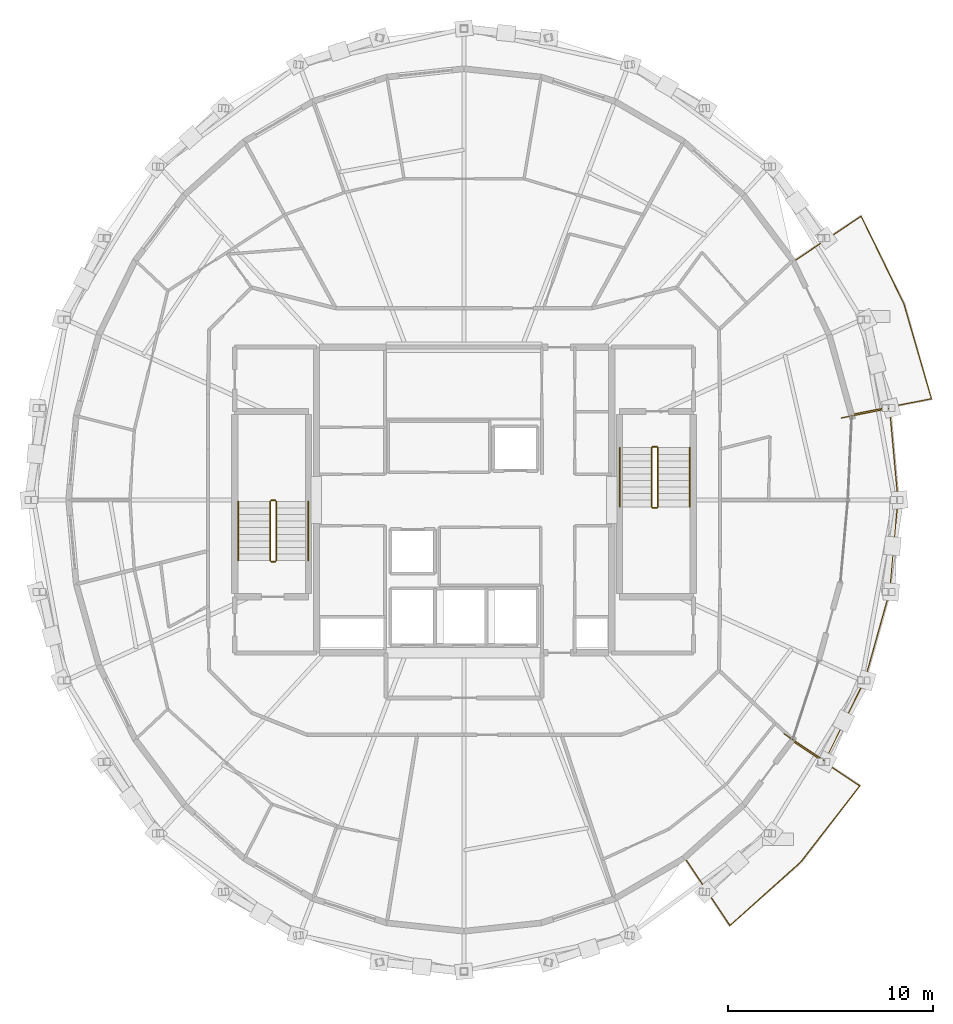
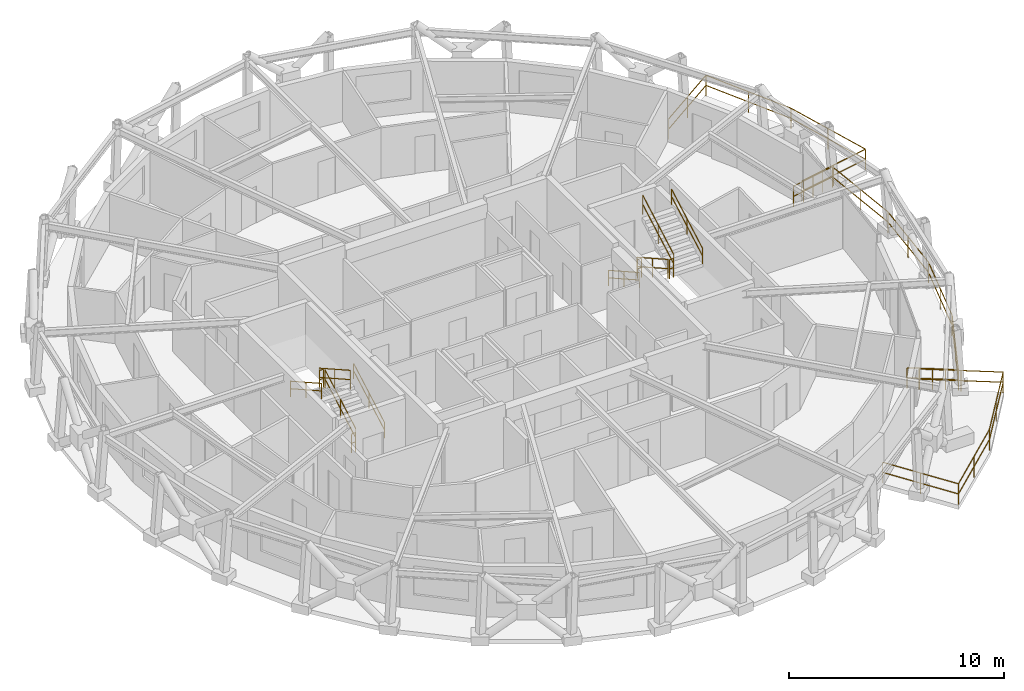
# One storey, part 12 of 12: 17 railings.
"""IFC4 building model written with IfcOpenShell, lengths in metres."""

from ifc_helpers import new_model, si_unit, direction, frame, origin, origin_2d, place, context, subcontext, project, spatial, circle, extrude, material, type_object, element, save


model = new_model("IFC4")

# Units and contexts
model_context = context("Model", 3, precision=1e-05, world=origin(), true_north=direction((0.0, 1.0)))
body_context = subcontext(model_context, "Body", "Model", "MODEL_VIEW")
ifc_project = project(units=[si_unit("LENGTHUNIT", "METRE"), si_unit("AREAUNIT", "SQUARE_METRE"), si_unit("VOLUMEUNIT", "CUBIC_METRE"), si_unit("PLANEANGLEUNIT", "RADIAN"), si_unit("MASSUNIT", "GRAM", prefix="KILO")], contexts=[model_context])

# Site, building, storey
site_placement = place(None, origin())
site = spatial("IfcSite", under=ifc_project, at=site_placement, CompositionType="ELEMENT")
building_placement = place(site_placement, origin())
building = spatial("IfcBuilding", under=site, at=building_placement, Name="Veldorina Hangang Commons", CompositionType="ELEMENT")
storey_placement = place(building_placement, frame((0.0, 0.0, 272.39990234375)))
storey = spatial("IfcBuildingStorey", under=building, at=storey_placement, Name="L71", CompositionType="ELEMENT", Elevation=272.39990234375)

# Railings
ifc_material_1 = material(Name="Glass Laminated Safety Balustrade", Category="glass")
railing_type_1 = type_object("IfcRailingType", Name="RL-BAL-LOGGIA", PredefinedType="BALUSTRADE", material=ifc_material_1)
railing_1_placement = place(storey_placement, frame((47.59423828125, 12.606689453125, 0.0)))
element("IfcRailing", 1, at=railing_1_placement, inside=storey, type_object=railing_type_1, Name="L71 sky-garden loggia end balustrade A", PredefinedType="BALUSTRADE", context=body_context, shape_type="SweptSolid", body=[
    extrude(circle(Radius=0.02392578125, at=origin_2d()), frame((0.0, 0.0, 1.17578125), z_axis=(0.832550714143, -0.553948831915, 0.0), x_axis=(0.553948831915, 0.832550714143, 0.0)), (0.0, 0.0, 1.0), 2.400146484375),
    extrude(circle(Radius=0.02392578125, at=origin_2d()), frame((0.0, 0.0, 0.60009765625), z_axis=(0.832550714143, -0.553948831915, 0.0), x_axis=(0.553948831915, 0.832550714143, 0.0)), (0.0, 0.0, 1.0), 2.400146484375),
    extrude(circle(Radius=0.02099609375, at=origin_2d()), origin(), (0.0, 0.0, 1.0), 1.15185546875),
    extrude(circle(Radius=0.02099609375, at=origin_2d()), frame((0.49951171875, -0.33251953125, 0.0)), (0.0, 0.0, 1.0), 1.15185546875),
    extrude(circle(Radius=0.02099609375, at=origin_2d()), frame((0.9990234375, -0.664794921875, 0.0)), (0.0, 0.0, 1.0), 1.15185546875),
    extrude(circle(Radius=0.02099609375, at=origin_2d()), frame((1.498779296875, -0.9970703125, 0.0)), (0.0, 0.0, 1.0), 1.15185546875),
    extrude(circle(Radius=0.02099609375, at=origin_2d()), frame((1.998291015625, -1.32958984375, 0.0)), (0.0, 0.0, 1.0), 1.15185546875),
])
railing_2_placement = place(storey_placement, frame((50.395751953125, 28.0009765625, 0.0)))
element("IfcRailing", 2, at=railing_2_placement, inside=storey, type_object=railing_type_1, Name="L71 sky-garden loggia end balustrade B", PredefinedType="BALUSTRADE", context=body_context, shape_type="SweptSolid", body=[
    extrude(circle(Radius=0.02392578125, at=origin_2d()), frame((0.0, 0.0, 1.17578125), z_axis=(0.980942853655, 0.194296468991, 0.0), x_axis=(-0.194296468991, 0.980942853655, 0.0)), (0.0, 0.0, 1.0), 2.39990234375),
    extrude(circle(Radius=0.02392578125, at=origin_2d()), frame((0.0, 0.0, 0.60009765625), z_axis=(0.980942853655, 0.194296468991, 0.0), x_axis=(-0.194296468991, 0.980942853655, 0.0)), (0.0, 0.0, 1.0), 2.39990234375),
    extrude(circle(Radius=0.02099609375, at=origin_2d()), origin(), (0.0, 0.0, 1.0), 1.15185546875),
    extrude(circle(Radius=0.02099609375, at=origin_2d()), frame((0.588623046875, 0.11669921875, 0.0)), (0.0, 0.0, 1.0), 1.15185546875),
    extrude(circle(Radius=0.02099609375, at=origin_2d()), frame((1.17724609375, 0.233154296875, 0.0)), (0.0, 0.0, 1.0), 1.15185546875),
    extrude(circle(Radius=0.02099609375, at=origin_2d()), frame((1.765625, 0.349609375, 0.0)), (0.0, 0.0, 1.0), 1.15185546875),
    extrude(circle(Radius=0.02099609375, at=origin_2d()), frame((2.354248046875, 0.46630859375, 0.0)), (0.0, 0.0, 1.0), 1.15185546875),
])
railing_3_placement = place(storey_placement, frame((49.592529296875, 11.277099609375, 0.0)))
element("IfcRailing", 3, at=railing_3_placement, inside=storey, type_object=railing_type_1, Name="L71 sky-garden loggia outer balustrade", PredefinedType="BALUSTRADE", context=body_context, shape_type="SweptSolid", body=[
    extrude(circle(Radius=0.02392578125, at=origin_2d()), frame((0.0, 0.0, 1.17578125), z_axis=(0.442585494432, 0.896726312828, 0.0), x_axis=(-0.896726312828, 0.442585494432, 0.0)), (0.0, 0.0, 1.0), 4.415771484375),
    extrude(circle(Radius=0.02392578125, at=origin_2d()), frame((0.0, 0.0, 0.60009765625), z_axis=(0.442585494432, 0.896726312828, 0.0), x_axis=(-0.896726312828, 0.442585494432, 0.0)), (0.0, 0.0, 1.0), 4.415771484375),
    extrude(circle(Radius=0.02392578125, at=origin_2d()), frame((1.954345703125, 3.959716796875, 1.17578125), z_axis=(0.269686761517, 0.962948103826, 0.0), x_axis=(-0.962948103826, 0.269686761517, 0.0)), (0.0, 0.0, 1.0), 4.461181640625),
    extrude(circle(Radius=0.02392578125, at=origin_2d()), frame((1.954345703125, 3.959716796875, 0.60009765625), z_axis=(0.269686761517, 0.962948103826, 0.0), x_axis=(-0.962948103826, 0.269686761517, 0.0)), (0.0, 0.0, 1.0), 4.461181640625),
    extrude(circle(Radius=0.02392578125, at=origin_2d()), frame((3.157470703125, 8.255615234375, 1.17578125), z_axis=(0.090565189683, 0.995890529334, 0.0), x_axis=(-0.995890529334, 0.090565189683, 0.0)), (0.0, 0.0, 1.0), 4.48583984375),
    extrude(circle(Radius=0.02392578125, at=origin_2d()), frame((3.157470703125, 8.255615234375, 0.60009765625), z_axis=(0.090565189683, 0.995890529334, 0.0), x_axis=(-0.995890529334, 0.090565189683, 0.0)), (0.0, 0.0, 1.0), 4.48583984375),
    extrude(circle(Radius=0.02392578125, at=origin_2d()), frame((3.563720703125, 12.722900390625, 1.17578125), z_axis=(-0.090565189683, 0.995890529334, 0.0), x_axis=(-0.995890529334, -0.090565189683, 0.0)), (0.0, 0.0, 1.0), 4.48583984375),
    extrude(circle(Radius=0.02392578125, at=origin_2d()), frame((3.563720703125, 12.722900390625, 0.60009765625), z_axis=(-0.090565189683, 0.995890529334, 0.0), x_axis=(-0.995890529334, -0.090565189683, 0.0)), (0.0, 0.0, 1.0), 4.48583984375),
    extrude(circle(Radius=0.02099609375, at=origin_2d()), origin(), (0.0, 0.0, 1.0), 1.15185546875),
    extrude(circle(Radius=0.02099609375, at=origin_2d()), frame((0.97705078125, 1.97998046875, 0.0)), (0.0, 0.0, 1.0), 1.15185546875),
    extrude(circle(Radius=0.02099609375, at=origin_2d()), frame((1.954345703125, 3.959716796875, 0.0)), (0.0, 0.0, 1.0), 1.15185546875),
    extrude(circle(Radius=0.02099609375, at=origin_2d()), frame((2.555908203125, 6.107666015625, 0.0)), (0.0, 0.0, 1.0), 1.15185546875),
    extrude(circle(Radius=0.02099609375, at=origin_2d()), frame((3.157470703125, 8.255615234375, 0.0)), (0.0, 0.0, 1.0), 1.15185546875),
    extrude(circle(Radius=0.02099609375, at=origin_2d()), frame((3.360595703125, 10.4892578125, 0.0)), (0.0, 0.0, 1.0), 1.15185546875),
    extrude(circle(Radius=0.02099609375, at=origin_2d()), frame((3.563720703125, 12.722900390625, 0.0)), (0.0, 0.0, 1.0), 1.15185546875),
    extrude(circle(Radius=0.02099609375, at=origin_2d()), frame((3.360595703125, 14.95654296875, 0.0)), (0.0, 0.0, 1.0), 1.15185546875),
    extrude(circle(Radius=0.02099609375, at=origin_2d()), frame((3.157470703125, 17.190185546875, 0.0)), (0.0, 0.0, 1.0), 1.15185546875),
])
railing_4_placement = place(storey_placement, frame((42.78662109375, 6.5244140625, 0.0)))
element("IfcRailing", 4, at=railing_4_placement, inside=storey, type_object=railing_type_1, Name="L71 planted tree balcony 1 balustrade", PredefinedType="BALUSTRADE", context=body_context, shape_type="SweptSolid", body=[
    extrude(circle(Radius=0.02392578125, at=origin_2d()), frame((0.0, 0.0, 1.17578125), z_axis=(0.553539297186, -0.832823058321, 0.0), x_axis=(0.832823058321, 0.553539297186, 0.0)), (0.0, 0.0, 1.0), 3.932861328125),
    extrude(circle(Radius=0.02392578125, at=origin_2d()), frame((0.0, 0.0, 0.60009765625), z_axis=(0.553539297186, -0.832823058321, 0.0), x_axis=(0.832823058321, 0.553539297186, 0.0)), (0.0, 0.0, 1.0), 3.932861328125),
    extrude(circle(Radius=0.02392578125, at=origin_2d()), frame((2.177001953125, -3.275390625, 1.17578125), z_axis=(0.744279844652, 0.667867885772, 0.0), x_axis=(-0.667867885772, 0.744279844652, 0.0)), (0.0, 0.0, 1.0), 4.63916015625),
    extrude(circle(Radius=0.02392578125, at=origin_2d()), frame((2.177001953125, -3.275390625, 0.60009765625), z_axis=(0.744279844652, 0.667867885772, 0.0), x_axis=(-0.667867885772, 0.744279844652, 0.0)), (0.0, 0.0, 1.0), 4.63916015625),
    extrude(circle(Radius=0.02392578125, at=origin_2d()), frame((5.6298828125, -0.177001953125, 1.17578125), z_axis=(0.613163664208, 0.789955898069, 0.0), x_axis=(-0.789955898069, 0.613163664208, 0.0)), (0.0, 0.0, 1.0), 4.70068359375),
    extrude(circle(Radius=0.02392578125, at=origin_2d()), frame((5.6298828125, -0.177001953125, 0.60009765625), z_axis=(0.613163664208, 0.789955898069, 0.0), x_axis=(-0.789955898069, 0.613163664208, 0.0)), (0.0, 0.0, 1.0), 4.70068359375),
    extrude(circle(Radius=0.02392578125, at=origin_2d()), frame((8.51220703125, 3.536376953125, 1.17578125), z_axis=(-0.832298565605, 0.554327608633, 0.0), x_axis=(-0.554327608633, -0.832298565605, 0.0)), (0.0, 0.0, 1.0), 3.93212890625),
    extrude(circle(Radius=0.02392578125, at=origin_2d()), frame((8.51220703125, 3.536376953125, 0.60009765625), z_axis=(-0.832298565605, 0.554327608633, 0.0), x_axis=(-0.554327608633, -0.832298565605, 0.0)), (0.0, 0.0, 1.0), 3.93212890625),
    extrude(circle(Radius=0.02099609375, at=origin_2d()), origin(), (0.0, 0.0, 1.0), 1.15185546875),
    extrude(circle(Radius=0.02099609375, at=origin_2d()), frame((1.08837890625, -1.6376953125, 0.0)), (0.0, 0.0, 1.0), 1.15185546875),
    extrude(circle(Radius=0.02099609375, at=origin_2d()), frame((2.177001953125, -3.275390625, 0.0)), (0.0, 0.0, 1.0), 1.15185546875),
    extrude(circle(Radius=0.02099609375, at=origin_2d()), frame((3.9033203125, -1.72607421875, 0.0)), (0.0, 0.0, 1.0), 1.15185546875),
    extrude(circle(Radius=0.02099609375, at=origin_2d()), frame((5.6298828125, -0.177001953125, 0.0)), (0.0, 0.0, 1.0), 1.15185546875),
    extrude(circle(Radius=0.02099609375, at=origin_2d()), frame((7.071044921875, 1.6796875, 0.0)), (0.0, 0.0, 1.0), 1.15185546875),
    extrude(circle(Radius=0.02099609375, at=origin_2d()), frame((8.51220703125, 3.536376953125, 0.0)), (0.0, 0.0, 1.0), 1.15185546875),
    extrude(circle(Radius=0.02099609375, at=origin_2d()), frame((6.8759765625, 4.626220703125, 0.0)), (0.0, 0.0, 1.0), 1.15185546875),
    extrude(circle(Radius=0.02099609375, at=origin_2d()), frame((5.239501953125, 5.716064453125, 0.0)), (0.0, 0.0, 1.0), 1.15185546875),
])
railing_5_placement = place(storey_placement, frame((50.93310546875, 28.17529296875, 0.0)))
element("IfcRailing", 5, at=railing_5_placement, inside=storey, type_object=railing_type_1, Name="L71 planted tree balcony 2 balustrade", PredefinedType="BALUSTRADE", context=body_context, shape_type="SweptSolid", body=[
    extrude(circle(Radius=0.02392578125, at=origin_2d()), frame((0.0, 0.0, 1.17578125), z_axis=(0.981107059631, 0.193465597828, 0.0), x_axis=(-0.193465597828, 0.981107059631, 0.0)), (0.0, 0.0, 1.0), 3.933349609375),
    extrude(circle(Radius=0.02392578125, at=origin_2d()), frame((0.0, 0.0, 0.60009765625), z_axis=(0.981107059631, 0.193465597828, 0.0), x_axis=(-0.193465597828, 0.981107059631, 0.0)), (0.0, 0.0, 1.0), 3.933349609375),
    extrude(circle(Radius=0.02392578125, at=origin_2d()), frame((3.859130859375, 0.760986328125, 1.17578125), z_axis=(-0.279298049826, 0.960204457063, 0.0), x_axis=(-0.960204457063, -0.279298049826, 0.0)), (0.0, 0.0, 1.0), 4.80859375),
    extrude(circle(Radius=0.02392578125, at=origin_2d()), frame((3.859130859375, 0.760986328125, 0.60009765625), z_axis=(-0.279298049826, 0.960204457063, 0.0), x_axis=(-0.960204457063, -0.279298049826, 0.0)), (0.0, 0.0, 1.0), 4.80859375),
    extrude(circle(Radius=0.02392578125, at=origin_2d()), frame((2.51611328125, 5.378173828125, 1.17578125), z_axis=(-0.437763480016, 0.899090170986, 0.0), x_axis=(-0.899090170986, -0.437763480016, 0.0)), (0.0, 0.0, 1.0), 4.76611328125),
    extrude(circle(Radius=0.02392578125, at=origin_2d()), frame((2.51611328125, 5.378173828125, 0.60009765625), z_axis=(-0.437763480016, 0.899090170986, 0.0), x_axis=(-0.899090170986, -0.437763480016, 0.0)), (0.0, 0.0, 1.0), 4.76611328125),
    extrude(circle(Radius=0.02392578125, at=origin_2d()), frame((0.4296875, 9.663330078125, 1.17578125), z_axis=(-0.830203078047, -0.557461074159, 0.0), x_axis=(0.557461074159, -0.830203078047, 0.0)), (0.0, 0.0, 1.0), 3.93408203125),
    extrude(circle(Radius=0.02392578125, at=origin_2d()), frame((0.4296875, 9.663330078125, 0.60009765625), z_axis=(-0.830203078047, -0.557461074159, 0.0), x_axis=(0.557461074159, -0.830203078047, 0.0)), (0.0, 0.0, 1.0), 3.93408203125),
    extrude(circle(Radius=0.02099609375, at=origin_2d()), origin(), (0.0, 0.0, 1.0), 1.15185546875),
    extrude(circle(Radius=0.02099609375, at=origin_2d()), frame((1.9296875, 0.38037109375, 0.0)), (0.0, 0.0, 1.0), 1.15185546875),
    extrude(circle(Radius=0.02099609375, at=origin_2d()), frame((3.859130859375, 0.760986328125, 0.0)), (0.0, 0.0, 1.0), 1.15185546875),
    extrude(circle(Radius=0.02099609375, at=origin_2d()), frame((3.1875, 3.069580078125, 0.0)), (0.0, 0.0, 1.0), 1.15185546875),
    extrude(circle(Radius=0.02099609375, at=origin_2d()), frame((2.51611328125, 5.378173828125, 0.0)), (0.0, 0.0, 1.0), 1.15185546875),
    extrude(circle(Radius=0.02099609375, at=origin_2d()), frame((1.472900390625, 7.520751953125, 0.0)), (0.0, 0.0, 1.0), 1.15185546875),
    extrude(circle(Radius=0.02099609375, at=origin_2d()), frame((0.4296875, 9.663330078125, 0.0)), (0.0, 0.0, 1.0), 1.15185546875),
    extrude(circle(Radius=0.02099609375, at=origin_2d()), frame((-1.203369140625, 8.56689453125, 0.0)), (0.0, 0.0, 1.0), 1.15185546875),
    extrude(circle(Radius=0.02099609375, at=origin_2d()), frame((-2.83642578125, 7.47021484375, 0.0)), (0.0, 0.0, 1.0), 1.15185546875),
])
ifc_material_2 = material(Name="Steel Painted Balustrade", Category="steel")
railing_type_2 = type_object("IfcRailingType", Name="RL-GRD-STAIR", PredefinedType="GUARDRAIL", material=ifc_material_2)
railing_6_placement = place(storey_placement, frame((22.85009765625, 21.050048828125, 0.18017578125)))
element("IfcRailing", 6, at=railing_6_placement, inside=storey, type_object=railing_type_2, Name="L71 ST-1 stair guard 1", PredefinedType="GUARDRAIL", context=body_context, shape_type="SweptSolid", body=[
    extrude(circle(Radius=0.02392578125, at=origin_2d()), frame((0.0, 0.0, 1.076171875), z_axis=(0.0, 0.871583430097, 0.490247207417), x_axis=(-1.0, 0.0, 0.0)), (0.0, 0.0, 1.0), 3.30419921875),
    extrude(circle(Radius=0.02392578125, at=origin_2d()), frame((0.0, 0.0, 0.550048828125), z_axis=(0.0, 0.871583430097, 0.490247207417), x_axis=(-1.0, 0.0, 0.0)), (0.0, 0.0, 1.0), 3.30419921875),
    extrude(circle(Radius=0.02099609375, at=origin_2d()), origin(), (0.0, 0.0, 1.0), 1.052001953125),
    extrude(circle(Radius=0.02099609375, at=origin_2d()), frame((0.0, 1.43994140625, 0.81005859375)), (0.0, 0.0, 1.0), 1.052001953125),
    extrude(circle(Radius=0.02099609375, at=origin_2d()), frame((0.0, 2.8798828125, 1.619873046875)), (0.0, 0.0, 1.0), 1.052001953125),
])
railing_7_placement = place(storey_placement, frame((22.800048828125, 23.97998046875, 1.800048828125)))
element("IfcRailing", 7, at=railing_7_placement, inside=storey, type_object=railing_type_2, Name="L71 ST-1 stair guard 2", PredefinedType="GUARDRAIL", context=body_context, shape_type="SweptSolid", body=[
    extrude(circle(Radius=0.02392578125, at=origin_2d()), frame((0.0, 0.0, 1.076171875), z_axis=(-1.0, 0.0, 0.0), x_axis=(0.0, -1.0, 0.0)), (0.0, 0.0, 1.0), 0.199951171875),
    extrude(circle(Radius=0.02392578125, at=origin_2d()), frame((0.0, 0.0, 0.550048828125), z_axis=(-1.0, 0.0, 0.0), x_axis=(0.0, -1.0, 0.0)), (0.0, 0.0, 1.0), 0.199951171875),
    extrude(circle(Radius=0.02099609375, at=origin_2d()), origin(), (0.0, 0.0, 1.0), 1.052001953125),
    extrude(circle(Radius=0.02099609375, at=origin_2d()), frame((-0.199951171875, 0.0, 0.0)), (0.0, 0.0, 1.0), 1.052001953125),
])
railing_8_placement = place(storey_placement, frame((22.550048828125, 23.929931640625, 1.97998046875)))
element("IfcRailing", 8, at=railing_8_placement, inside=storey, type_object=railing_type_2, Name="L71 ST-1 stair guard 3", PredefinedType="GUARDRAIL", context=body_context, shape_type="SweptSolid", body=[
    extrude(circle(Radius=0.02392578125, at=origin_2d()), frame((0.0, 0.0, 1.076171875), z_axis=(0.0, -0.87155185771, 0.490303333991), x_axis=(1.0, 0.0, 0.0)), (0.0, 0.0, 1.0), 3.30419921875),
    extrude(circle(Radius=0.02392578125, at=origin_2d()), frame((0.0, 0.0, 0.550048828125), z_axis=(0.0, -0.87155185771, 0.490303333991), x_axis=(1.0, 0.0, 0.0)), (0.0, 0.0, 1.0), 3.30419921875),
    extrude(circle(Radius=0.02099609375, at=origin_2d()), origin(), (0.0, 0.0, 1.0), 1.052001953125),
    extrude(circle(Radius=0.02099609375, at=origin_2d()), frame((0.0, -1.43994140625, 0.81005859375)), (0.0, 0.0, 1.0), 1.052001953125),
    extrude(circle(Radius=0.02099609375, at=origin_2d()), frame((0.0, -2.8798828125, 1.6201171875)), (0.0, 0.0, 1.0), 1.052001953125),
])
railing_9_placement = place(storey_placement, frame((22.800048828125, 21.0, 0.0)))
element("IfcRailing", 9, at=railing_9_placement, inside=storey, type_object=railing_type_2, Name="L71 ST-1 stair guard 4", PredefinedType="GUARDRAIL", context=body_context, shape_type="SweptSolid", body=[
    extrude(circle(Radius=0.02392578125, at=origin_2d()), frame((0.0, 0.0, 1.076171875), z_axis=(-1.0, 0.0, 0.0), x_axis=(0.0, -1.0, 0.0)), (0.0, 0.0, 1.0), 0.199951171875),
    extrude(circle(Radius=0.02392578125, at=origin_2d()), frame((0.0, 0.0, 0.550048828125), z_axis=(-1.0, 0.0, 0.0), x_axis=(0.0, -1.0, 0.0)), (0.0, 0.0, 1.0), 0.199951171875),
    extrude(circle(Radius=0.02099609375, at=origin_2d()), origin(), (0.0, 0.0, 1.0), 1.052001953125),
    extrude(circle(Radius=0.02099609375, at=origin_2d()), frame((-0.199951171875, 0.0, 0.0)), (0.0, 0.0, 1.0), 1.052001953125),
])
railing_10_placement = place(storey_placement, frame((41.14990234375, 26.550048828125, 0.18017578125)))
element("IfcRailing", 10, at=railing_10_placement, inside=storey, type_object=railing_type_2, Name="L71 ST-2 stair guard 1", PredefinedType="GUARDRAIL", context=body_context, shape_type="SweptSolid", body=[
    extrude(circle(Radius=0.02392578125, at=origin_2d()), frame((0.0, 0.0, 1.076171875), z_axis=(0.0, -0.871601186807, 0.490215637405), x_axis=(1.0, 0.0, 0.0)), (0.0, 0.0, 1.0), 3.304443359375),
    extrude(circle(Radius=0.02392578125, at=origin_2d()), frame((0.0, 0.0, 0.550048828125), z_axis=(0.0, -0.871601186807, 0.490215637405), x_axis=(1.0, 0.0, 0.0)), (0.0, 0.0, 1.0), 3.304443359375),
    extrude(circle(Radius=0.02099609375, at=origin_2d()), origin(), (0.0, 0.0, 1.0), 1.052001953125),
    extrude(circle(Radius=0.02099609375, at=origin_2d()), frame((0.0, -1.43994140625, 0.81005859375)), (0.0, 0.0, 1.0), 1.052001953125),
    extrude(circle(Radius=0.02099609375, at=origin_2d()), frame((0.0, -2.880126953125, 1.619873046875)), (0.0, 0.0, 1.0), 1.052001953125),
])
railing_11_placement = place(storey_placement, frame((41.199951171875, 23.6201171875, 1.800048828125)))
element("IfcRailing", 11, at=railing_11_placement, inside=storey, type_object=railing_type_2, Name="L71 ST-2 stair guard 2", PredefinedType="GUARDRAIL", context=body_context, shape_type="SweptSolid", body=[
    extrude(circle(Radius=0.02392578125, at=origin_2d()), frame((0.0, 0.0, 1.076171875), z_axis=(1.0, 0.0, 0.0), x_axis=(0.0, 1.0, 0.0)), (0.0, 0.0, 1.0), 0.199951171875),
    extrude(circle(Radius=0.02392578125, at=origin_2d()), frame((0.0, 0.0, 0.550048828125), z_axis=(1.0, 0.0, 0.0), x_axis=(0.0, 1.0, 0.0)), (0.0, 0.0, 1.0), 0.199951171875),
    extrude(circle(Radius=0.02099609375, at=origin_2d()), origin(), (0.0, 0.0, 1.0), 1.052001953125),
    extrude(circle(Radius=0.02099609375, at=origin_2d()), frame((0.199951171875, 0.0, 0.0)), (0.0, 0.0, 1.0), 1.052001953125),
])
railing_12_placement = place(storey_placement, frame((41.449951171875, 23.669921875, 1.97998046875)))
element("IfcRailing", 12, at=railing_12_placement, inside=storey, type_object=railing_type_2, Name="L71 ST-2 stair guard 3", PredefinedType="GUARDRAIL", context=body_context, shape_type="SweptSolid", body=[
    extrude(circle(Radius=0.02392578125, at=origin_2d()), frame((0.0, 0.0, 1.076171875), z_axis=(0.0, 0.871569617843, 0.490271762652), x_axis=(-1.0, 0.0, 0.0)), (0.0, 0.0, 1.0), 3.304443359375),
    extrude(circle(Radius=0.02392578125, at=origin_2d()), frame((0.0, 0.0, 0.550048828125), z_axis=(0.0, 0.871569617843, 0.490271762652), x_axis=(-1.0, 0.0, 0.0)), (0.0, 0.0, 1.0), 3.304443359375),
    extrude(circle(Radius=0.02099609375, at=origin_2d()), origin(), (0.0, 0.0, 1.0), 1.052001953125),
    extrude(circle(Radius=0.02099609375, at=origin_2d()), frame((0.0, 1.43994140625, 0.81005859375)), (0.0, 0.0, 1.0), 1.052001953125),
    extrude(circle(Radius=0.02099609375, at=origin_2d()), frame((0.0, 2.880126953125, 1.6201171875)), (0.0, 0.0, 1.0), 1.052001953125),
])
railing_13_placement = place(storey_placement, frame((41.199951171875, 26.60009765625, 0.0)))
element("IfcRailing", 13, at=railing_13_placement, inside=storey, type_object=railing_type_2, Name="L71 ST-2 stair guard 4", PredefinedType="GUARDRAIL", context=body_context, shape_type="SweptSolid", body=[
    extrude(circle(Radius=0.02392578125, at=origin_2d()), frame((0.0, 0.0, 1.076171875), z_axis=(1.0, 0.0, 0.0), x_axis=(0.0, 1.0, 0.0)), (0.0, 0.0, 1.0), 0.199951171875),
    extrude(circle(Radius=0.02392578125, at=origin_2d()), frame((0.0, 0.0, 0.550048828125), z_axis=(1.0, 0.0, 0.0), x_axis=(0.0, 1.0, 0.0)), (0.0, 0.0, 1.0), 0.199951171875),
    extrude(circle(Radius=0.02099609375, at=origin_2d()), origin(), (0.0, 0.0, 1.0), 1.052001953125),
    extrude(circle(Radius=0.02099609375, at=origin_2d()), frame((0.199951171875, 0.0, 0.0)), (0.0, 0.0, 1.0), 1.052001953125),
])
ifc_material_3 = material(Name="Stainless Steel Brushed 316", Category="steel")
railing_type_3 = type_object("IfcRailingType", Name="RL-HND-STAIR", PredefinedType="HANDRAIL", material=ifc_material_3)
railing_14_placement = place(storey_placement, frame((24.39990234375, 21.050048828125, 0.18017578125)))
element("IfcRailing", 14, at=railing_14_placement, inside=storey, type_object=railing_type_3, Name="L71 ST-1 stair handrail 1", PredefinedType="HANDRAIL", context=body_context, shape_type="SweptSolid", body=[
    extrude(circle(Radius=0.02392578125, at=origin_2d()), frame((0.0, 0.0, 0.8759765625), z_axis=(0.0, 0.871583430097, 0.490247207417), x_axis=(-1.0, 0.0, 0.0)), (0.0, 0.0, 1.0), 3.30419921875),
    extrude(circle(Radius=0.02392578125, at=origin_2d()), frame((0.0, 0.0, 0.449951171875), z_axis=(0.0, 0.871583430097, 0.490247207417), x_axis=(-1.0, 0.0, 0.0)), (0.0, 0.0, 1.0), 3.30419921875),
    extrude(circle(Radius=0.02099609375, at=origin_2d()), origin(), (0.0, 0.0, 1.0), 0.851806640625),
    extrude(circle(Radius=0.02099609375, at=origin_2d()), frame((0.0, 1.43994140625, 0.81005859375)), (0.0, 0.0, 1.0), 0.851806640625),
    extrude(circle(Radius=0.02099609375, at=origin_2d()), frame((0.0, 2.8798828125, 1.619873046875)), (0.0, 0.0, 1.0), 0.851806640625),
])
railing_15_placement = place(storey_placement, frame((21.0, 23.929931640625, 1.97998046875)))
element("IfcRailing", 15, at=railing_15_placement, inside=storey, type_object=railing_type_3, Name="L71 ST-1 stair handrail 2", PredefinedType="HANDRAIL", context=body_context, shape_type="SweptSolid", body=[
    extrude(circle(Radius=0.02392578125, at=origin_2d()), frame((0.0, 0.0, 0.8759765625), z_axis=(0.0, -0.87155185771, 0.490303333991), x_axis=(1.0, 0.0, 0.0)), (0.0, 0.0, 1.0), 3.30419921875),
    extrude(circle(Radius=0.02392578125, at=origin_2d()), frame((0.0, 0.0, 0.449951171875), z_axis=(0.0, -0.87155185771, 0.490303333991), x_axis=(1.0, 0.0, 0.0)), (0.0, 0.0, 1.0), 3.30419921875),
    extrude(circle(Radius=0.02099609375, at=origin_2d()), origin(), (0.0, 0.0, 1.0), 0.851806640625),
    extrude(circle(Radius=0.02099609375, at=origin_2d()), frame((0.0, -1.43994140625, 0.81005859375)), (0.0, 0.0, 1.0), 0.851806640625),
    extrude(circle(Radius=0.02099609375, at=origin_2d()), frame((0.0, -2.8798828125, 1.6201171875)), (0.0, 0.0, 1.0), 0.851806640625),
])
railing_16_placement = place(storey_placement, frame((39.60009765625, 26.550048828125, 0.18017578125)))
element("IfcRailing", 16, at=railing_16_placement, inside=storey, type_object=railing_type_3, Name="L71 ST-2 stair handrail 1", PredefinedType="HANDRAIL", context=body_context, shape_type="SweptSolid", body=[
    extrude(circle(Radius=0.02392578125, at=origin_2d()), frame((0.0, 0.0, 0.8759765625), z_axis=(0.0, -0.871601186807, 0.490215637405), x_axis=(1.0, 0.0, 0.0)), (0.0, 0.0, 1.0), 3.304443359375),
    extrude(circle(Radius=0.02392578125, at=origin_2d()), frame((0.0, 0.0, 0.449951171875), z_axis=(0.0, -0.871601186807, 0.490215637405), x_axis=(1.0, 0.0, 0.0)), (0.0, 0.0, 1.0), 3.304443359375),
    extrude(circle(Radius=0.02099609375, at=origin_2d()), origin(), (0.0, 0.0, 1.0), 0.851806640625),
    extrude(circle(Radius=0.02099609375, at=origin_2d()), frame((0.0, -1.43994140625, 0.81005859375)), (0.0, 0.0, 1.0), 0.851806640625),
    extrude(circle(Radius=0.02099609375, at=origin_2d()), frame((0.0, -2.880126953125, 1.619873046875)), (0.0, 0.0, 1.0), 0.851806640625),
])
railing_17_placement = place(storey_placement, frame((43.0, 23.669921875, 1.97998046875)))
element("IfcRailing", 17, at=railing_17_placement, inside=storey, type_object=railing_type_3, Name="L71 ST-2 stair handrail 2", PredefinedType="HANDRAIL", context=body_context, shape_type="SweptSolid", body=[
    extrude(circle(Radius=0.02392578125, at=origin_2d()), frame((0.0, 0.0, 0.8759765625), z_axis=(0.0, 0.871569617843, 0.490271762652), x_axis=(-1.0, 0.0, 0.0)), (0.0, 0.0, 1.0), 3.304443359375),
    extrude(circle(Radius=0.02392578125, at=origin_2d()), frame((0.0, 0.0, 0.449951171875), z_axis=(0.0, 0.871569617843, 0.490271762652), x_axis=(-1.0, 0.0, 0.0)), (0.0, 0.0, 1.0), 3.304443359375),
    extrude(circle(Radius=0.02099609375, at=origin_2d()), origin(), (0.0, 0.0, 1.0), 0.851806640625),
    extrude(circle(Radius=0.02099609375, at=origin_2d()), frame((0.0, 1.43994140625, 0.81005859375)), (0.0, 0.0, 1.0), 0.851806640625),
    extrude(circle(Radius=0.02099609375, at=origin_2d()), frame((0.0, 2.880126953125, 1.6201171875)), (0.0, 0.0, 1.0), 0.851806640625),
])

save(model, "model.ifc")
